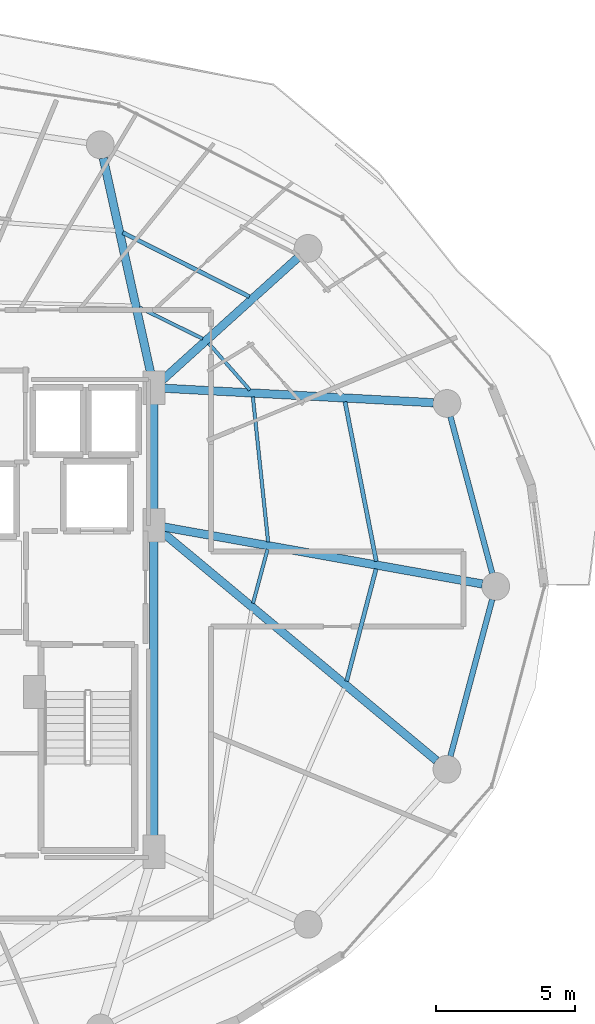
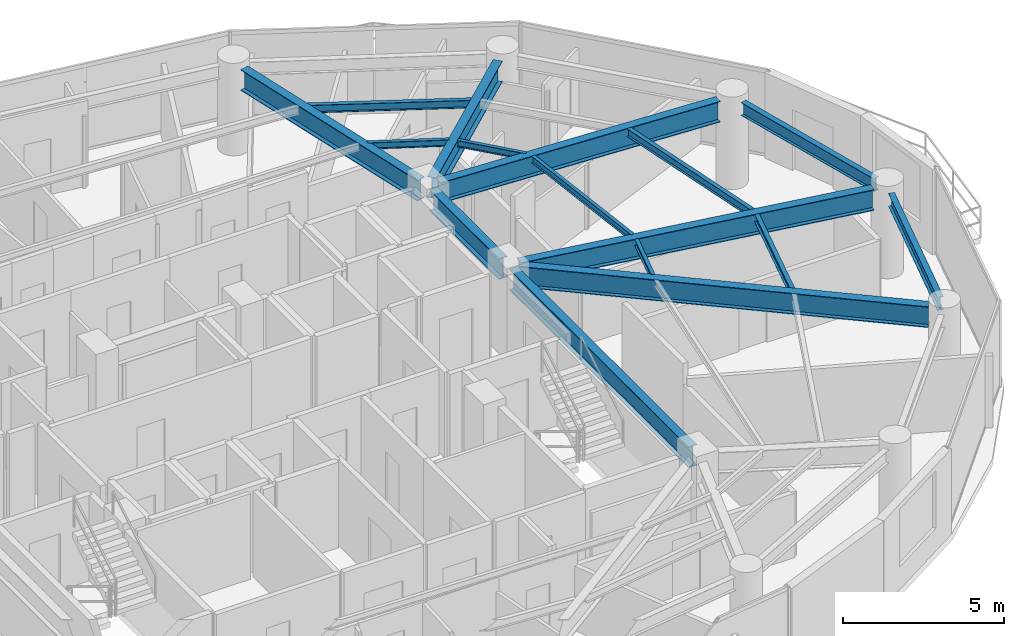
# One storey, part 12 of 28: 16 beams.
"""IFC4 building model written with IfcOpenShell, lengths in metres."""

import ifcopenshell
import ifcopenshell.guid

model = None  # the IFC model being written
_history = None  # IfcOwnerHistory: only IFC2X3 demands one
_inside = {}  # id of a spatial element -> (the spatial element, [elements in it])
_under = {}  # id of a project, library or spatial element -> (it, [spatial elements below it])
_declared = {}  # id of a project -> (the project, [libraries it declares])
_typed = {}  # id of a type object -> (the type object, [elements of that type])
_made_of = {}  # id of a material, layer set ... -> (it, [elements and type objects made of it])


def new_model(schema):
    """Start an empty IFC model of exactly this schema.

    Asked for "IFC4X3", IfcOpenShell would pick the latest addendum, in which some entities
    have other attributes; the version numbers below select the first issue.
    IFC2X3 requires an IfcOwnerHistory on every rooted entity: one is made here for all.
    """
    global model, _history
    if schema == "IFC4X3":
        model = ifcopenshell.file(schema_version=(4, 3, 0, 0))
    else:
        model = ifcopenshell.file(schema=schema)
    _inside.clear()
    _under.clear()
    _declared.clear()
    _typed.clear()
    _made_of.clear()
    _history = None
    if model.schema == "IFC2X3":
        org = make("IfcOrganization", Name="unknown")
        user = make(
            "IfcPersonAndOrganization",
            ThePerson=make("IfcPerson", FamilyName="unknown"),
            TheOrganization=org,
        )
        app = make(
            "IfcApplication",
            ApplicationDeveloper=org,
            Version="unknown",
            ApplicationFullName="unknown",
            ApplicationIdentifier="unknown",
        )
        _history = make(
            "IfcOwnerHistory",
            OwningUser=user,
            OwningApplication=app,
            ChangeAction="ADDED",
            CreationDate=0,
        )
    return model


def make(cls, **values):
    """One entity of the class cls with the attributes given. An attribute that is None is left unset."""
    return model.create_entity(
        cls, **{name: value for name, value in values.items() if value is not None}
    )


def rooted(cls, **values):
    """An entity with a GlobalId (a new one), such as an element, a storey or a relation."""
    return make(cls, GlobalId=ifcopenshell.guid.new(), OwnerHistory=_history, **values)


def si_unit(unit_type, name, prefix=None):
    """IfcSIUnit, for example si_unit("LENGTHUNIT", "METRE", prefix="MILLI")."""
    return make("IfcSIUnit", UnitType=unit_type, Prefix=prefix, Name=name)


def assignment(units):
    """IfcUnitAssignment: the units of a project."""
    return None if units is None else make("IfcUnitAssignment", Units=units)


def point(xyz):
    """IfcCartesianPoint."""
    return None if xyz is None else make("IfcCartesianPoint", Coordinates=xyz)


def direction(xyz):
    """IfcDirection."""
    return None if xyz is None else make("IfcDirection", DirectionRatios=xyz)


def frame(location, z_axis=None, x_axis=None):
    """IfcAxis2Placement3D, a coordinate frame: its origin and axes. An axis left out is left unset."""
    return make(
        "IfcAxis2Placement3D",
        Location=point(location),
        Axis=direction(z_axis),
        RefDirection=direction(x_axis),
    )


def frame_2d(location, x_axis=None):
    """IfcAxis2Placement2D, a coordinate frame in the plane: its origin and x axis."""
    return make(
        "IfcAxis2Placement2D", Location=point(location), RefDirection=direction(x_axis)
    )


def origin():
    """The frame at (0, 0, 0) with its axes left unset."""
    return frame((0.0, 0.0, 0.0))


def origin_2d():
    """The frame at (0, 0) in the plane with its x axis left unset."""
    return frame_2d((0.0, 0.0))


def place(relative_to, where):
    """IfcLocalPlacement: puts the frame where relative to a parent placement (None: the world)."""
    return make(
        "IfcLocalPlacement", PlacementRelTo=relative_to, RelativePlacement=where
    )


def context(
    kind, dimensions, precision=None, world=None, true_north=None, identifier=None
):
    """IfcGeometricRepresentationContext, for example the 3D "Model" context."""
    return make(
        "IfcGeometricRepresentationContext",
        ContextIdentifier=identifier,
        ContextType=kind,
        CoordinateSpaceDimension=dimensions,
        Precision=precision,
        WorldCoordinateSystem=world,
        TrueNorth=true_north,
    )


def subcontext(parent, identifier, kind, view, scale=None):
    """IfcGeometricRepresentationSubContext, for example "Body" below "Model"."""
    return make(
        "IfcGeometricRepresentationSubContext",
        ContextIdentifier=identifier,
        ContextType=kind,
        ParentContext=parent,
        TargetScale=scale,
        TargetView=view,
    )


def project(units=None, contexts=None):
    """IfcProject with its units and contexts."""
    return rooted(
        "IfcProject",
        Name="project",
        RepresentationContexts=contexts,
        UnitsInContext=assignment(units),
    )


def spatial(cls, under=None, at=None, **own):
    """A site, building, storey or space (cls), placed at a placement, below another one or the project."""
    s = rooted(cls, ObjectPlacement=at, **own)
    if under is not None:
        _under.setdefault(under.id(), (under, []))[1].append(s)
    return s


def profile(cls, at=None, kind="AREA", **sizes):
    """A parametric profile (cls). Its sizes go by their IFC names, for example OverallWidth=200.0."""
    return make(cls, ProfileType=kind, Position=at, **sizes)


def i_section(**sizes):
    """IfcIShapeProfileDef."""
    return profile("IfcIShapeProfileDef", **sizes)


def extrude(swept, where, along, depth):
    """IfcExtrudedAreaSolid: the profile swept, set in the frame where, extruded along a direction by depth."""
    return make(
        "IfcExtrudedAreaSolid",
        SweptArea=swept,
        Position=where,
        ExtrudedDirection=direction(along),
        Depth=depth,
    )


def shape(context_of_items, identifier, shape_type, items):
    """IfcShapeRepresentation: the items that make up one representation, for example the "Body"."""
    return make(
        "IfcShapeRepresentation",
        ContextOfItems=context_of_items,
        RepresentationIdentifier=identifier,
        RepresentationType=shape_type,
        Items=items,
    )


def material(Name=None, Category=None):
    """IfcMaterial."""
    return make("IfcMaterial", Name=Name, Category=Category)


def material_profile(
    of_material, cross_section, Name=None, Category=None, Priority=None
):
    """IfcMaterialProfile: a cross section and its material."""
    return make(
        "IfcMaterialProfile",
        Name=Name,
        Material=of_material,
        Profile=cross_section,
        Priority=Priority,
        Category=Category,
    )


def profile_set(profiles, Name=None, composite=None):
    """IfcMaterialProfileSet."""
    return make(
        "IfcMaterialProfileSet",
        Name=Name,
        MaterialProfiles=profiles,
        CompositeProfile=composite,
    )


def made_of(thing, what):
    """Note that an element or type object is made of a material, layer set ...; save() writes the relation."""
    if what is not None:
        _made_of.setdefault(what.id(), (what, []))[1].append(thing)
    return thing


def type_object(cls, material=None, **own):
    """A type object (cls), such as IfcWallType, which elements share."""
    return made_of(rooted(cls, **own), material)


def element(
    cls,
    number,
    at=None,
    inside=None,
    cuts=None,
    type_object=None,
    material=None,
    context=None,
    identifier="Body",
    shape_type=None,
    held_by="IfcProductDefinitionShape",
    body=None,
    shapes=None,
    **own,
):
    """One element of the class cls, such as IfcWall. Its Tag is "e" and its number.

    at: its placement. inside: the storey or other place that contains it. cuts: it is an
    opening in that element (IfcRelVoidsElement). A single representation is given by context,
    identifier, shape_type and body (its items); several are given by shapes. held_by: the class
    of the entity that holds the representations. save() writes the other relations.
    """
    e = rooted(cls, Tag="e%d" % number, ObjectPlacement=at, **own)
    if body is not None:
        shapes = [shape(context, identifier, shape_type, body)]
    if shapes is not None:
        e.Representation = make(held_by, Representations=shapes)
    if inside is not None:
        _inside.setdefault(inside.id(), (inside, []))[1].append(e)
    if cuts is not None:
        rooted(
            "IfcRelVoidsElement", RelatingBuildingElement=cuts, RelatedOpeningElement=e
        )
    if type_object is not None:
        _typed.setdefault(type_object.id(), (type_object, []))[1].append(e)
    return made_of(e, material)


def aggregate(whole, parts):
    """IfcRelAggregates: a whole, such as a stair, and the parts it consists of."""
    return rooted("IfcRelAggregates", RelatingObject=whole, RelatedObjects=parts)


def save(model, path):
    """Write the relations noted so far, then the file.

    IfcRelAggregates (storeys below a building ...), IfcRelContainedInSpatialStructure (elements
    in a storey), IfcRelDefinesByType, IfcRelAssociatesMaterial and IfcRelDeclares: one each for
    every whole, place, type object, material and project.
    """
    for whole, parts in _under.values():
        aggregate(whole, parts)
    for where, things in _inside.values():
        rooted(
            "IfcRelContainedInSpatialStructure",
            RelatedElements=things,
            RelatingStructure=where,
        )
    for kind, things in _typed.values():
        rooted("IfcRelDefinesByType", RelatedObjects=things, RelatingType=kind)
    for what, things in _made_of.values():
        rooted("IfcRelAssociatesMaterial", RelatedObjects=things, RelatingMaterial=what)
    for by, libraries in _declared.values():
        rooted("IfcRelDeclares", RelatingContext=by, RelatedDefinitions=libraries)
    model.write(path)


model = new_model("IFC4")

# Units and contexts
model_context = context("Model", 3, precision=1e-05, world=origin(), true_north=direction((0.0, 1.0)))
body_context = subcontext(model_context, "Body", "Model", "MODEL_VIEW")
ifc_project = project(units=[si_unit("LENGTHUNIT", "METRE"), si_unit("AREAUNIT", "SQUARE_METRE"), si_unit("VOLUMEUNIT", "CUBIC_METRE"), si_unit("PLANEANGLEUNIT", "RADIAN"), si_unit("MASSUNIT", "GRAM", prefix="KILO")], contexts=[model_context])

# Site, building, storey
site_placement = place(None, origin())
site = spatial("IfcSite", under=ifc_project, at=site_placement, CompositionType="ELEMENT")
building_placement = place(site_placement, origin())
building = spatial("IfcBuilding", under=site, at=building_placement, Name="Vorneva Point Tower", CompositionType="ELEMENT")
storey_placement = place(building_placement, frame((0.0, 0.0, 139.60009765625)))
storey = spatial("IfcBuildingStorey", under=building, at=storey_placement, Name="L37", CompositionType="ELEMENT", Elevation=139.60009765625)

# Beams
ifc_material = material(Name="Steel S355", Category="steel")
ifc_material_profile_1 = material_profile(ifc_material, i_section(OverallWidth=0.300048828125, OverallDepth=0.7880859375, WebThickness=0.014404296875, FlangeThickness=0.02197265625, at=origin_2d()), Name="80Sh1")
ifc_profile_set_1 = profile_set([ifc_material_profile_1], Name="Steel S355")
beam_type_1 = type_object("IfcBeamType", Name="BM-GRD-80Sh1", PredefinedType="USERDEFINED", material=ifc_profile_set_1)
beam_1_placement = place(storey_placement, frame((60.569580078125, 26.0859375, 2.845947265625), z_axis=(-0.984378132756, 0.176067293249, 0.0), x_axis=(-0.176067293249, -0.984378132756, 0.0)))
element("IfcBeam", 1, at=beam_1_placement, inside=storey, type_object=beam_type_1, Name="L37 Radial Primary Girder 01", ObjectType="GIRDER", PredefinedType="USERDEFINED", context=body_context, shape_type="SweptSolid", body=[
    extrude(i_section(OverallWidth=0.300048828125, OverallDepth=0.7880859375, WebThickness=0.014404296875, FlangeThickness=0.02197265625, at=origin_2d()), origin(), (0.0, 0.0, 1.0), 11.667236328125),
])
beam_2_placement = place(storey_placement, frame((58.80810546875, 32.6083984375, 2.845947265625), z_axis=(-0.998554051908, 0.053756910424, 0.0), x_axis=(-0.053756910424, -0.998554051908, 0.0)))
element("IfcBeam", 2, at=beam_2_placement, inside=storey, type_object=beam_type_1, Name="L37 Radial Primary Girder 02", ObjectType="GIRDER", PredefinedType="USERDEFINED", context=body_context, shape_type="SweptSolid", body=[
    extrude(i_section(OverallWidth=0.300048828125, OverallDepth=0.7880859375, WebThickness=0.014404296875, FlangeThickness=0.02197265625, at=origin_2d()), origin(), (0.0, 0.0, 1.0), 9.732666015625),
])
beam_3_placement = place(storey_placement, frame((53.936767578125, 37.835205078125, 2.845947265625), z_axis=(-0.742084379637, -0.670306477292, 0.0), x_axis=(0.670306477292, -0.742084379637, 0.0)))
element("IfcBeam", 3, at=beam_3_placement, inside=storey, type_object=beam_type_1, Name="L37 Radial Primary Girder 03", ObjectType="GIRDER", PredefinedType="USERDEFINED", context=body_context, shape_type="SweptSolid", body=[
    extrude(i_section(OverallWidth=0.300048828125, OverallDepth=0.7880859375, WebThickness=0.014404296875, FlangeThickness=0.02197265625, at=origin_2d()), origin(), (0.0, 0.0, 1.0), 6.649658203125),
])
beam_4_placement = place(storey_placement, frame((46.926025390625, 41.414306640625, 2.845947265625), z_axis=(0.215520500859, -0.976499315775, 0.0), x_axis=(0.976499315775, 0.215520500859, 0.0)))
element("IfcBeam", 4, at=beam_4_placement, inside=storey, type_object=beam_type_1, Name="L37 Radial Primary Girder 04", ObjectType="GIRDER", PredefinedType="USERDEFINED", context=body_context, shape_type="SweptSolid", body=[
    extrude(i_section(OverallWidth=0.300048828125, OverallDepth=0.7880859375, WebThickness=0.014404296875, FlangeThickness=0.02197265625, at=origin_2d()), origin(), (0.0, 0.0, 1.0), 8.123291015625),
])
beam_5_placement = place(storey_placement, frame((58.92041015625, 19.72998046875, 2.845947265625), z_axis=(-0.76841987547, 0.639946009428, 0.0), x_axis=(-0.639946009428, -0.76841987547, 0.0)))
element("IfcBeam", 5, at=beam_5_placement, inside=storey, type_object=beam_type_1, Name="L37 Radial Primary Girder 16", ObjectType="GIRDER", PredefinedType="USERDEFINED", context=body_context, shape_type="SweptSolid", body=[
    extrude(i_section(OverallWidth=0.300048828125, OverallDepth=0.7880859375, WebThickness=0.014404296875, FlangeThickness=0.02197265625, at=origin_2d()), origin(), (0.0, 0.0, 1.0), 12.8955078125),
])
beam_6_placement = place(storey_placement, frame((48.75, 16.77001953125, 2.845947265625), z_axis=(0.0, 1.0, 0.0), x_axis=(-1.0, 0.0, 0.0)))
element("IfcBeam", 6, at=beam_6_placement, inside=storey, type_object=beam_type_1, Name="L37 Core Tie Girder CT3", ObjectType="GIRDER", PredefinedType="USERDEFINED", context=body_context, shape_type="SweptSolid", body=[
    extrude(i_section(OverallWidth=0.300048828125, OverallDepth=0.7880859375, WebThickness=0.014404296875, FlangeThickness=0.02197265625, at=origin_2d()), origin(), (0.0, 0.0, 1.0), 11.10986328125),
])
beam_7_placement = place(storey_placement, frame((48.75, 28.52001953125, 2.845947265625), z_axis=(0.0, 1.0, 0.0), x_axis=(-1.0, 0.0, 0.0)))
element("IfcBeam", 7, at=beam_7_placement, inside=storey, type_object=beam_type_1, Name="L37 Core Tie Girder CT4", ObjectType="GIRDER", PredefinedType="USERDEFINED", context=body_context, shape_type="SweptSolid", body=[
    extrude(i_section(OverallWidth=0.300048828125, OverallDepth=0.7880859375, WebThickness=0.014404296875, FlangeThickness=0.02197265625, at=origin_2d()), origin(), (0.0, 0.0, 1.0), 4.31005859375),
])
ifc_material_profile_2 = material_profile(ifc_material, i_section(OverallWidth=0.1240234375, OverallDepth=0.248046875, WebThickness=0.0048828125, FlangeThickness=0.008056640625, at=origin_2d()), Name="25B1")
ifc_profile_set_2 = profile_set([ifc_material_profile_2], Name="Steel S355")
beam_type_2 = type_object("IfcBeamType", Name="BM-JST-25B1", PredefinedType="JOIST", material=ifc_profile_set_2)
beam_8_placement = place(storey_placement, frame((52.8603515625, 27.599609375, 3.115966796875), z_axis=(-0.104612176701, 0.99451309317, 0.0), x_axis=(-0.99451309317, -0.104612176701, 0.0)))
element("IfcBeam", 8, at=beam_8_placement, inside=storey, type_object=beam_type_2, Name="L37 Secondary Floor Beam 2.01", PredefinedType="JOIST", context=body_context, shape_type="SweptSolid", body=[
    extrude(i_section(OverallWidth=0.1240234375, OverallDepth=0.248046875, WebThickness=0.0048828125, FlangeThickness=0.008056640625, at=origin_2d()), origin(), (0.0, 0.0, 1.0), 5.2509765625),
])
beam_9_placement = place(storey_placement, frame((52.205322265625, 33.0625, 3.115966796875), z_axis=(-0.661250814478, 0.750164888776, 0.0), x_axis=(-0.750164888776, -0.661250814478, 0.0)))
element("IfcBeam", 9, at=beam_9_placement, inside=storey, type_object=beam_type_2, Name="L37 Secondary Floor Beam 2.02", PredefinedType="JOIST", context=body_context, shape_type="SweptSolid", body=[
    extrude(i_section(OverallWidth=0.1240234375, OverallDepth=0.248046875, WebThickness=0.0048828125, FlangeThickness=0.008056640625, at=origin_2d()), origin(), (0.0, 0.0, 1.0), 2.243408203125),
])
beam_10_placement = place(storey_placement, frame((50.5068359375, 34.909912109375, 3.115966796875), z_axis=(-0.896525372152, 0.442992389425, 0.0), x_axis=(-0.442992389425, -0.896525372152, 0.0)))
element("IfcBeam", 10, at=beam_10_placement, inside=storey, type_object=beam_type_2, Name="L37 Secondary Floor Beam 2.03", PredefinedType="JOIST", context=body_context, shape_type="SweptSolid", body=[
    extrude(i_section(OverallWidth=0.1240234375, OverallDepth=0.248046875, WebThickness=0.0048828125, FlangeThickness=0.008056640625, at=origin_2d()), origin(), (0.0, 0.0, 1.0), 2.5478515625),
])
beam_11_placement = place(storey_placement, frame((52.317138671875, 25.392333984375, 3.115966796875), z_axis=(0.260108786392, 0.965579317944, 0.0), x_axis=(-0.965579317944, 0.260108786392, 0.0)))
element("IfcBeam", 11, at=beam_11_placement, inside=storey, type_object=beam_type_2, Name="L37 Secondary Floor Beam 2.16", PredefinedType="JOIST", context=body_context, shape_type="SweptSolid", body=[
    extrude(i_section(OverallWidth=0.1240234375, OverallDepth=0.248046875, WebThickness=0.0048828125, FlangeThickness=0.008056640625, at=origin_2d()), origin(), (0.0, 0.0, 1.0), 2.005859375),
])
ifc_material_profile_3 = material_profile(ifc_material, i_section(OverallWidth=0.14892578125, OverallDepth=0.298095703125, WebThickness=0.005615234375, FlangeThickness=0.008056640625, at=origin_2d()), Name="30B1")
ifc_profile_set_3 = profile_set([ifc_material_profile_3], Name="Steel S355")
beam_type_3 = type_object("IfcBeamType", Name="BM-JST-30B1", PredefinedType="JOIST", material=ifc_profile_set_3)
beam_12_placement = place(storey_placement, frame((56.753173828125, 26.899169921875, 3.0908203125), z_axis=(-0.192242055479, 0.9813475389, 0.0), x_axis=(-0.9813475389, -0.192242055479, 0.0)))
element("IfcBeam", 12, at=beam_12_placement, inside=storey, type_object=beam_type_3, Name="L37 Secondary Floor Beam 1.01", PredefinedType="JOIST", context=body_context, shape_type="SweptSolid", body=[
    extrude(i_section(OverallWidth=0.14892578125, OverallDepth=0.298095703125, WebThickness=0.005615234375, FlangeThickness=0.008056640625, at=origin_2d()), origin(), (0.0, 0.0, 1.0), 5.855712890625),
])
beam_13_placement = place(storey_placement, frame((52.185302734375, 36.426513671875, 3.0908203125), z_axis=(-0.892189333363, 0.451661591717, 0.0), x_axis=(-0.451661591717, -0.892189333363, 0.0)))
element("IfcBeam", 13, at=beam_13_placement, inside=storey, type_object=beam_type_3, Name="L37 Secondary Floor Beam 1.03", PredefinedType="JOIST", context=body_context, shape_type="SweptSolid", body=[
    extrude(i_section(OverallWidth=0.14892578125, OverallDepth=0.298095703125, WebThickness=0.005615234375, FlangeThickness=0.008056640625, at=origin_2d()), origin(), (0.0, 0.0, 1.0), 5.109130859375),
])
beam_14_placement = place(storey_placement, frame((55.685302734375, 22.5869140625, 3.0908203125), z_axis=(0.253432269417, 0.967353133462, 0.0), x_axis=(-0.967353133462, 0.253432269417, 0.0)))
element("IfcBeam", 14, at=beam_14_placement, inside=storey, type_object=beam_type_3, Name="L37 Secondary Floor Beam 1.16", PredefinedType="JOIST", context=body_context, shape_type="SweptSolid", body=[
    extrude(i_section(OverallWidth=0.14892578125, OverallDepth=0.298095703125, WebThickness=0.005615234375, FlangeThickness=0.008056640625, at=origin_2d()), origin(), (0.0, 0.0, 1.0), 4.179931640625),
])
ifc_material_profile_4 = material_profile(ifc_material, i_section(OverallWidth=0.199951171875, OverallDepth=0.491943359375, WebThickness=0.0087890625, FlangeThickness=0.011962890625, at=origin_2d()), Name="50B1")
ifc_profile_set_4 = profile_set([ifc_material_profile_4], Name="Steel S355")
beam_type_4 = type_object("IfcBeamType", Name="BM-SPN-50B1", PredefinedType="SPANDREL", material=ifc_profile_set_4)
for number, where, z_axis, x_axis, name in (
    (15, (60.925048828125, 26.468505859375, 2.993896484375), (-0.257550804648, 0.966264758245, 0.0), (-0.966264758245, -0.257550804648, 0.0), "L37 Perimeter Spandrel Ring Beam 01"),
    (16, (59.42041015625, 19.886474609375, 2.993896484375), (0.257550804648, 0.966264758245, 0.0), (-0.966264758245, 0.257550804648, 0.0), "L37 Perimeter Spandrel Ring Beam 16"),
):
    element("IfcBeam", number, at=place(storey_placement, frame(where, z_axis=z_axis, x_axis=x_axis)), inside=storey, type_object=beam_type_4, Name=name, PredefinedType="SPANDREL", context=body_context, shape_type="SweptSolid", body=[
        extrude(i_section(OverallWidth=0.199951171875, OverallDepth=0.491943359375, WebThickness=0.0087890625, FlangeThickness=0.011962890625, at=origin_2d()), origin(), (0.0, 0.0, 1.0), 5.842041015625),
    ])

save(model, "model.ifc")
